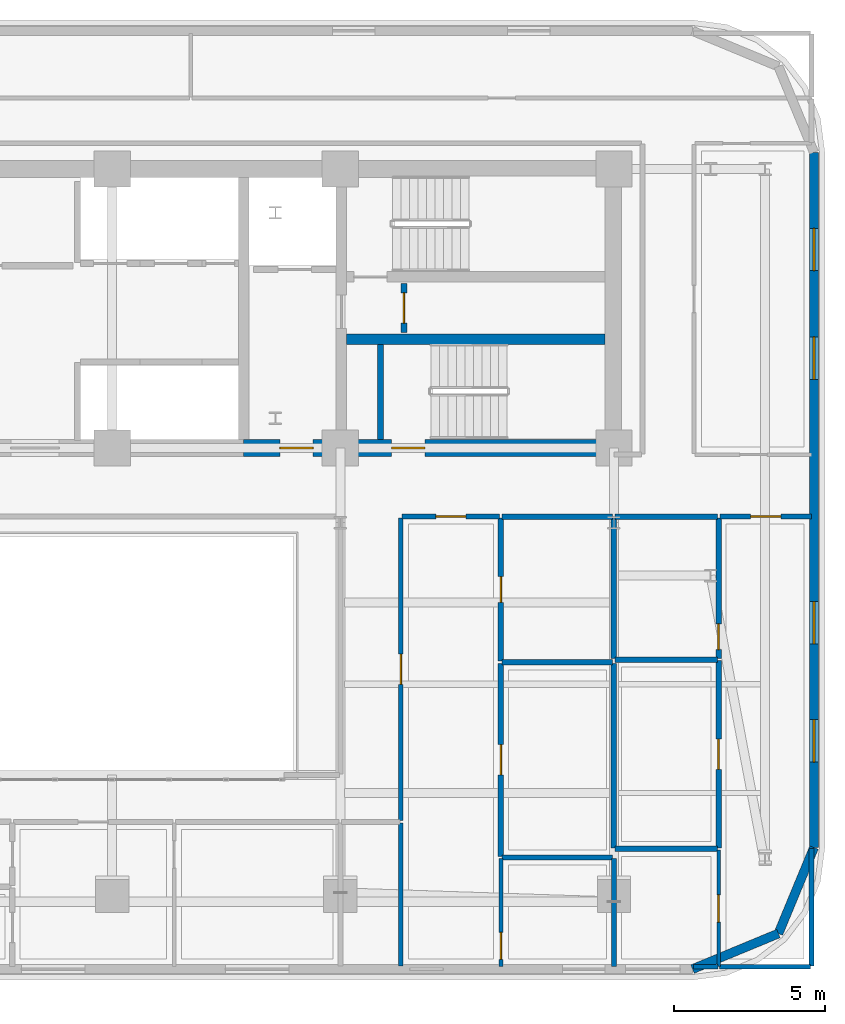
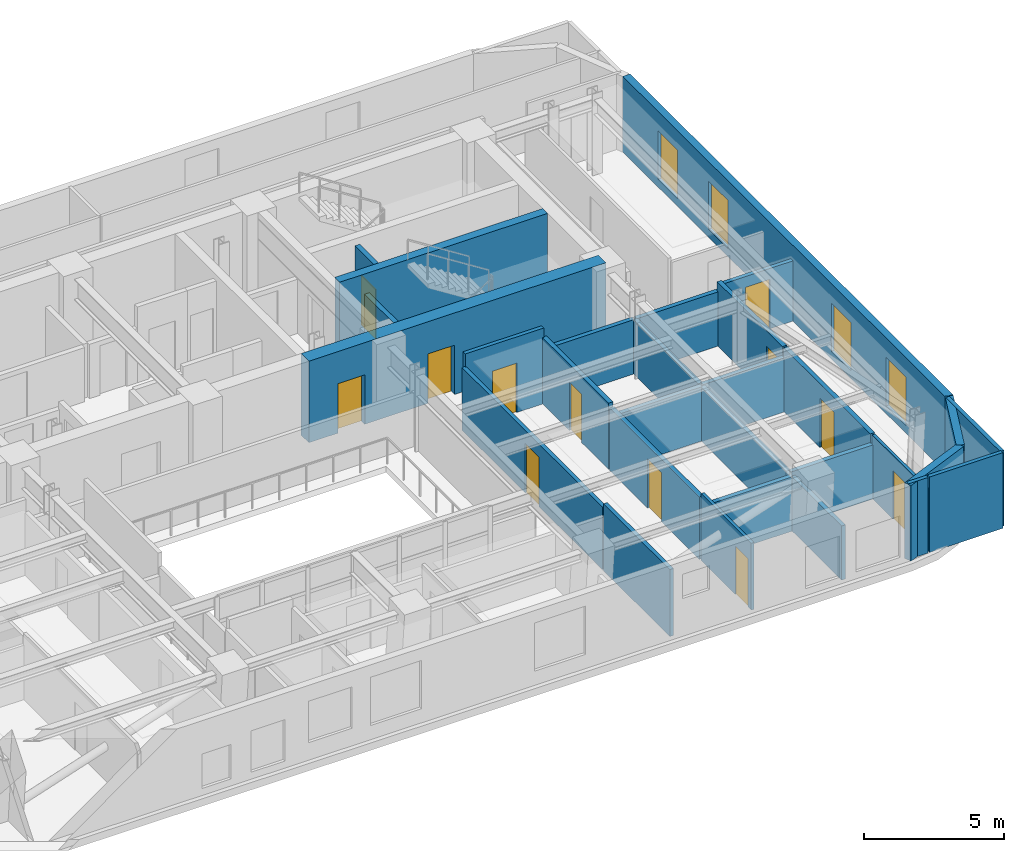
# One storey, part 8 of 12: 29 walls, 12 doors, 4 windows, 16 openings.
"""IFC4 building model written with IfcOpenShell, lengths in metres."""

from ifc_helpers import new_model, si_unit, direction, frame, frame_2d, origin, place, context, subcontext, project, spatial, rectangle, extrude, material, layer, layer_set, type_object, element, fill, save


model = new_model("IFC4")

# Units and contexts
model_context = context("Model", 3, precision=1e-05, world=origin(), true_north=direction((0.0, 1.0)))
body_context = subcontext(model_context, "Body", "Model", "MODEL_VIEW")
ifc_project = project(units=[si_unit("LENGTHUNIT", "METRE"), si_unit("AREAUNIT", "SQUARE_METRE"), si_unit("VOLUMEUNIT", "CUBIC_METRE"), si_unit("PLANEANGLEUNIT", "RADIAN"), si_unit("MASSUNIT", "GRAM", prefix="KILO")], contexts=[model_context])

# Site, building, storey
site_placement = place(None, origin())
site = spatial("IfcSite", under=ifc_project, at=site_placement, CompositionType="ELEMENT")
building_placement = place(site_placement, origin())
building = spatial("IfcBuilding", under=site, at=building_placement, Name="Zarnavel Station Tower", CompositionType="ELEMENT")
storey_placement = place(building_placement, frame((0.0, 0.0, 144.800048828125)))
storey = spatial("IfcBuildingStorey", under=building, at=storey_placement, Name="L39", CompositionType="ELEMENT", Elevation=144.800048828125)

# Wall
ifc_material_1 = material(Name="Concrete C50/60", Category="concrete")
ifc_layer_1 = layer(ifc_material_1, 0.35009765625)
ifc_layer_set_1 = layer_set([ifc_layer_1], Name="CW_350")
wall_type_1 = type_object("IfcWallType", Name="CW_350", PredefinedType="SHEAR", material=ifc_layer_set_1)
wall_1_placement = place(storey_placement, frame((36.554931640625, 31.419921875, 0.0), z_axis=(0.0, 0.0, 1.0), x_axis=(1.0, 0.0, 0.0)))
element("IfcWall", 1, at=wall_1_placement, inside=storey, type_object=wall_type_1, Name="L39 Rear Core Shear Wall DIV-H3", PredefinedType="SHEAR", context=body_context, shape_type="SweptSolid", body=[
    extrude(rectangle(XDim=8.550048828125, YDim=0.35009765625, at=frame_2d((4.27490234375, 0.0))), origin(), (0.0, 0.0, 1.0), 3.550048828125),
])

# Wall, openings, doors
ifc_material_2 = material(Name="Concrete C50/60", Category="concrete")
ifc_layer_2 = layer(ifc_material_2, 0.550048828125)
ifc_layer_set_2 = layer_set([ifc_layer_2], Name="CW_550")
wall_type_2 = type_object("IfcWallType", Name="CW_550", PredefinedType="SHEAR", material=ifc_layer_set_2)
wall_2_placement = place(storey_placement, frame((45.3798828125, 27.820068359375, 0.0), z_axis=(0.0, 0.0, 1.0), x_axis=(-1.0, 0.0, 0.0)))
wall_2 = element("IfcWall", 2, at=wall_2_placement, inside=storey, type_object=wall_type_2, Name="L39 Rear Core Shear Wall S-E", PredefinedType="SHEAR", context=body_context, shape_type="SweptSolid", body=[
    extrude(rectangle(XDim=12.22998046875, YDim=0.550048828125, at=frame_2d((6.114990234375, 0.0))), origin(), (0.0, 0.0, 1.0), 3.550048828125),
])
opening_1_placement = place(wall_2_placement, frame((9.929931640625, 0.0, 0.0)))
opening_1 = element("IfcOpeningElement", 3, at=opening_1_placement, cuts=wall_2, Name="Opening FD01", PredefinedType="OPENING", context=body_context, shape_type="SweptSolid", body=[
    extrude(rectangle(XDim=1.10009765625, YDim=2.14990234375, at=frame_2d((0.550048828125, 1.074951171875))), frame((0.0, 0.284912109375, 0.0), z_axis=(0.0, -1.0, 0.0), x_axis=(1.0, 0.0, 0.0)), (0.0, 0.0, 1.0), 0.570068359375),
])
opening_2_placement = place(wall_2_placement, frame((6.22998046875, 0.0, 0.0)))
opening_2 = element("IfcOpeningElement", 4, at=opening_2_placement, cuts=wall_2, Name="Opening FD01", PredefinedType="OPENING", context=body_context, shape_type="SweptSolid", body=[
    extrude(rectangle(XDim=1.10009765625, YDim=2.14990234375, at=frame_2d((0.550048828125, 1.074951171875))), frame((0.0, 0.284912109375, 0.0), z_axis=(0.0, -1.0, 0.0), x_axis=(1.0, 0.0, 0.0)), (0.0, 0.0, 1.0), 0.570068359375),
])
ifc_material_3 = material(Name="Painted Galvanised Steel and Hardwood Leaf", Category="steel")
door_type_1 = type_object("IfcDoorType", Name="ID_STAIR_1100", OperationType="NOTDEFINED", PredefinedType="DOOR", material=ifc_material_3)
door_1_placement = place(opening_1_placement, origin())
door_1 = element("IfcDoor", 5, at=door_1_placement, inside=storey, type_object=door_type_1, Name="L39 East Firefighting Lobby Door", OperationType="SINGLE_SWING_LEFT", OverallHeight=2.14990234375, OverallWidth=1.10009765625, PredefinedType="DOOR", context=body_context, shape_type="SweptSolid", body=[
    extrude(rectangle(XDim=1.10009765625, YDim=2.14990234375, at=frame_2d((0.550048828125, 1.074951171875))), frame((0.0, 0.02490234375, 0.0), z_axis=(0.0, -1.0, 0.0), x_axis=(1.0, 0.0, 0.0)), (0.0, 0.0, 1.0), 0.050048828125),
])
fill(opening_1, door_1)
door_2_placement = place(opening_2_placement, origin())
door_2 = element("IfcDoor", 6, at=door_2_placement, inside=storey, type_object=door_type_1, Name="L39 Stair ST3 Corridor Fire Door", OperationType="SINGLE_SWING_RIGHT", OverallHeight=2.14990234375, OverallWidth=1.10009765625, PredefinedType="DOOR", context=body_context, shape_type="SweptSolid", body=[
    extrude(rectangle(XDim=1.10009765625, YDim=2.14990234375, at=frame_2d((0.550048828125, 1.074951171875))), frame((0.0, 0.02490234375, 0.0), z_axis=(0.0, -1.0, 0.0), x_axis=(1.0, 0.0, 0.0)), (0.0, 0.0, 1.0), 0.050048828125),
])
fill(opening_2, door_2)

# Walls
ifc_material_4 = material(Name="Precast concrete C45/55 (Dark Basalt Finish)", Category="masonry")
ifc_layer_3 = layer(ifc_material_4, 0.300048828125)
ifc_layer_set_3 = layer_set([ifc_layer_3], Name="EW_BASALT_300")
wall_type_3 = type_object("IfcWallType", Name="EW_BASALT_300", PredefinedType="SOLIDWALL", material=ifc_layer_set_3)
wall_3_placement = place(storey_placement, frame((50.842529296875, 11.75732421875, 0.0), z_axis=(0.0, 0.0, 1.0), x_axis=(-0.92389884758, -0.382636798336, 0.0)))
element("IfcWall", 7, at=wall_3_placement, inside=storey, type_object=wall_type_3, Name="L39 Exterior Basalt Masonry Frame Wall 01", PredefinedType="SOLIDWALL", context=body_context, shape_type="SweptSolid", body=[
    extrude(rectangle(XDim=3.07666015625, YDim=0.300048828125, at=frame_2d((1.538330078125, 0.0))), origin(), (0.0, 0.0, 1.0), 3.2900390625),
])
wall_4_placement = place(storey_placement, frame((52.02001953125, 14.60009765625, 0.0), z_axis=(0.0, 0.0, 1.0), x_axis=(-0.382676475685, -0.923882414032, 0.0)))
element("IfcWall", 8, at=wall_4_placement, inside=storey, type_object=wall_type_3, Name="L39 Exterior Basalt Masonry Frame Wall 02", PredefinedType="SOLIDWALL", context=body_context, shape_type="SweptSolid", body=[
    extrude(rectangle(XDim=3.076904296875, YDim=0.300048828125, at=frame_2d((1.53857421875, 0.0))), origin(), (0.0, 0.0, 1.0), 3.2900390625),
])

# Wall, openings, windows
wall_5_placement = place(storey_placement, frame((52.02001953125, 37.60009765625, 0.0), z_axis=(0.0, 0.0, 1.0), x_axis=(0.0, -1.0, 0.0)))
wall_5 = element("IfcWall", 9, at=wall_5_placement, inside=storey, type_object=wall_type_3, Name="L39 Exterior Basalt Masonry Frame Wall 03", PredefinedType="SOLIDWALL", context=body_context, shape_type="SweptSolid", body=[
    extrude(rectangle(XDim=23.0, YDim=0.300048828125, at=frame_2d((11.5, 0.0))), origin(), (0.0, 0.0, 1.0), 3.2900390625),
])
opening_3_placement = place(wall_5_placement, frame((2.51318359375, 0.0, 0.340087890625)))
opening_3 = element("IfcOpeningElement", 10, at=opening_3_placement, cuts=wall_5, Name="Opening WN04", PredefinedType="OPENING", context=body_context, shape_type="SweptSolid", body=[
    extrude(rectangle(XDim=1.39990234375, YDim=2.10009765625, at=frame_2d((0.699951171875, 1.050048828125))), frame((0.0, 0.159912109375, 0.0), z_axis=(0.0, -1.0, 0.0), x_axis=(1.0, 0.0, 0.0)), (0.0, 0.0, 1.0), 0.320068359375),
])
opening_4_placement = place(wall_5_placement, frame((6.106689453125, 0.0, 0.340087890625)))
opening_4 = element("IfcOpeningElement", 11, at=opening_4_placement, cuts=wall_5, Name="Opening WN04", PredefinedType="OPENING", context=body_context, shape_type="SweptSolid", body=[
    extrude(rectangle(XDim=1.39990234375, YDim=2.10009765625, at=frame_2d((0.699951171875, 1.050048828125))), frame((0.0, 0.159912109375, 0.0), z_axis=(0.0, -1.0, 0.0), x_axis=(1.0, 0.0, 0.0)), (0.0, 0.0, 1.0), 0.320068359375),
])
opening_5_placement = place(wall_5_placement, frame((14.860107421875, 0.0, 0.340087890625)))
opening_5 = element("IfcOpeningElement", 12, at=opening_5_placement, cuts=wall_5, Name="Opening WN04", PredefinedType="OPENING", context=body_context, shape_type="SweptSolid", body=[
    extrude(rectangle(XDim=1.39990234375, YDim=2.10009765625, at=frame_2d((0.699951171875, 1.050048828125))), frame((0.0, 0.159912109375, 0.0), z_axis=(0.0, -1.0, 0.0), x_axis=(1.0, 0.0, 0.0)), (0.0, 0.0, 1.0), 0.320068359375),
])
opening_6_placement = place(wall_5_placement, frame((18.77001953125, 0.0, 0.340087890625)))
opening_6 = element("IfcOpeningElement", 13, at=opening_6_placement, cuts=wall_5, Name="Opening WN04", PredefinedType="OPENING", context=body_context, shape_type="SweptSolid", body=[
    extrude(rectangle(XDim=1.39990234375, YDim=2.10009765625, at=frame_2d((0.699951171875, 1.050048828125))), frame((0.0, 0.159912109375, 0.0), z_axis=(0.0, -1.0, 0.0), x_axis=(1.0, 0.0, 0.0)), (0.0, 0.0, 1.0), 0.320068359375),
])
ifc_material_5 = material(Name="Thermally Broken Black Aluminium and Low-E Dark Glass", Category="aluminium")
window_type = type_object("IfcWindowType", Name="WN_1400x2100", PartitioningType="DOUBLE_PANEL_VERTICAL", PredefinedType="WINDOW", material=ifc_material_5)
window_1_placement = place(opening_3_placement, origin())
window_1 = element("IfcWindow", 14, at=window_1_placement, inside=storey, type_object=window_type, Name="L39 Recessed Facade Window 01", OverallHeight=2.10009765625, OverallWidth=1.39990234375, PartitioningType="SINGLE_PANEL", PredefinedType="WINDOW", context=body_context, shape_type="SweptSolid", body=[
    extrude(rectangle(XDim=1.39990234375, YDim=2.10009765625, at=frame_2d((0.699951171875, 1.050048828125))), frame((0.0, 0.030029296875, 0.0), z_axis=(0.0, -1.0, 0.0), x_axis=(1.0, 0.0, 0.0)), (0.0, 0.0, 1.0), 0.06005859375),
])
fill(opening_3, window_1)
window_2_placement = place(opening_4_placement, origin())
window_2 = element("IfcWindow", 15, at=window_2_placement, inside=storey, type_object=window_type, Name="L39 Recessed Facade Window 02", OverallHeight=2.10009765625, OverallWidth=1.39990234375, PartitioningType="SINGLE_PANEL", PredefinedType="WINDOW", context=body_context, shape_type="SweptSolid", body=[
    extrude(rectangle(XDim=1.39990234375, YDim=2.10009765625, at=frame_2d((0.699951171875, 1.050048828125))), frame((0.0, 0.030029296875, 0.0), z_axis=(0.0, -1.0, 0.0), x_axis=(1.0, 0.0, 0.0)), (0.0, 0.0, 1.0), 0.06005859375),
])
fill(opening_4, window_2)
window_3_placement = place(opening_5_placement, origin())
window_3 = element("IfcWindow", 16, at=window_3_placement, inside=storey, type_object=window_type, Name="L39 Recessed Facade Window 03", OverallHeight=2.10009765625, OverallWidth=1.39990234375, PartitioningType="SINGLE_PANEL", PredefinedType="WINDOW", context=body_context, shape_type="SweptSolid", body=[
    extrude(rectangle(XDim=1.39990234375, YDim=2.10009765625, at=frame_2d((0.699951171875, 1.050048828125))), frame((0.0, 0.030029296875, 0.0), z_axis=(0.0, -1.0, 0.0), x_axis=(1.0, 0.0, 0.0)), (0.0, 0.0, 1.0), 0.06005859375),
])
fill(opening_5, window_3)
window_4_placement = place(opening_6_placement, origin())
window_4 = element("IfcWindow", 17, at=window_4_placement, inside=storey, type_object=window_type, Name="L39 Recessed Facade Window 04", OverallHeight=2.10009765625, OverallWidth=1.39990234375, PartitioningType="SINGLE_PANEL", PredefinedType="WINDOW", context=body_context, shape_type="SweptSolid", body=[
    extrude(rectangle(XDim=1.39990234375, YDim=2.10009765625, at=frame_2d((0.699951171875, 1.050048828125))), frame((0.0, 0.030029296875, 0.0), z_axis=(0.0, -1.0, 0.0), x_axis=(1.0, 0.0, 0.0)), (0.0, 0.0, 1.0), 0.06005859375),
])
fill(opening_6, window_4)

# Wall, opening, door
ifc_material_6 = material(Name="Gypsum Twin-Stud Acoustic Fire Partition", Category="concrete")
ifc_layer_4 = layer(ifc_material_6, 0.159912109375)
ifc_layer_set_4 = layer_set([ifc_layer_4], Name="PT_DEMISE_160")
wall_type_4 = type_object("IfcWallType", Name="PT_DEMISE_160", PredefinedType="PARTITIONING", material=ifc_layer_set_4)
wall_6_placement = place(storey_placement, frame((38.389892578125, 25.550048828125, 0.0), z_axis=(0.0, 0.0, 1.0), x_axis=(1.0, 0.0, 0.0)))
wall_6 = element("IfcWall", 18, at=wall_6_placement, inside=storey, type_object=wall_type_4, Name="L39 Partition COR-S-UE1LV", PredefinedType="PARTITIONING", context=body_context, shape_type="SweptSolid", body=[
    extrude(rectangle(XDim=3.233154296875, YDim=0.159912109375, at=frame_2d((1.61669921875, 0.0))), origin(), (0.0, 0.0, 1.0), 3.2900390625),
])
opening_7_placement = place(wall_6_placement, frame((1.116455078125, 0.0, 0.0)))
opening_7 = element("IfcOpeningElement", 19, at=opening_7_placement, cuts=wall_6, Name="Opening FD02", PredefinedType="OPENING", context=body_context, shape_type="SweptSolid", body=[
    extrude(rectangle(XDim=1.0, YDim=2.14990234375, at=frame_2d((0.5, 1.074951171875))), frame((0.0, 0.08984375, 0.0), z_axis=(0.0, -1.0, 0.0), x_axis=(1.0, 0.0, 0.0)), (0.0, 0.0, 1.0), 0.179931640625),
])
ifc_material_7 = material(Name="Painted Galvanised Steel and Hardwood Leaf", Category="steel")
door_type_2 = type_object("IfcDoorType", Name="ID_ENTRY_1000", OperationType="NOTDEFINED", PredefinedType="DOOR", material=ifc_material_7)
door_3_placement = place(opening_7_placement, origin())
door_3 = element("IfcDoor", 20, at=door_3_placement, inside=storey, type_object=door_type_2, Name="L39 Door COR-S-UE1LV", OperationType="SINGLE_SWING_LEFT", OverallHeight=2.14990234375, OverallWidth=1.0, PredefinedType="DOOR", context=body_context, shape_type="SweptSolid", body=[
    extrude(rectangle(XDim=1.0, YDim=2.14990234375, at=frame_2d((0.5, 1.074951171875))), frame((0.0, 0.02490234375, 0.0), z_axis=(0.0, -1.0, 0.0), x_axis=(1.0, 0.0, 0.0)), (0.0, 0.0, 1.0), 0.050048828125),
])
fill(opening_7, door_3)

wall_7_placement = place(storey_placement, frame((48.906005859375, 25.550048828125, 0.0), z_axis=(0.0, 0.0, 1.0), x_axis=(1.0, 0.0, 0.0)))
wall_7 = element("IfcWall", 21, at=wall_7_placement, inside=storey, type_object=wall_type_4, Name="L39 Partition COR-S-UE2LV", PredefinedType="PARTITIONING", context=body_context, shape_type="SweptSolid", body=[
    extrude(rectangle(XDim=3.033935546875, YDim=0.159912109375, at=frame_2d((1.51708984375, 0.0))), origin(), (0.0, 0.0, 1.0), 2.619873046875),
])
opening_8_placement = place(wall_7_placement, frame((1.01708984375, 0.0, 0.0)))
opening_8 = element("IfcOpeningElement", 22, at=opening_8_placement, cuts=wall_7, Name="Opening FD02", PredefinedType="OPENING", context=body_context, shape_type="SweptSolid", body=[
    extrude(rectangle(XDim=1.0, YDim=2.14990234375, at=frame_2d((0.5, 1.074951171875))), frame((0.0, 0.08984375, 0.0), z_axis=(0.0, -1.0, 0.0), x_axis=(1.0, 0.0, 0.0)), (0.0, 0.0, 1.0), 0.179931640625),
])
door_4_placement = place(opening_8_placement, origin())
door_4 = element("IfcDoor", 23, at=door_4_placement, inside=storey, type_object=door_type_2, Name="L39 Door COR-S-UE2LV", OperationType="SINGLE_SWING_RIGHT", OverallHeight=2.14990234375, OverallWidth=1.0, PredefinedType="DOOR", context=body_context, shape_type="SweptSolid", body=[
    extrude(rectangle(XDim=1.0, YDim=2.14990234375, at=frame_2d((0.5, 1.074951171875))), frame((0.0, 0.02490234375, 0.0), z_axis=(0.0, -1.0, 0.0), x_axis=(1.0, 0.0, 0.0)), (0.0, 0.0, 1.0), 0.050048828125),
])
fill(opening_8, door_4)

wall_8_placement = place(storey_placement, frame((38.35009765625, 15.489990234375, 0.0), z_axis=(0.0, 0.0, 1.0), x_axis=(0.0, 1.0, 0.0)))
wall_8 = element("IfcWall", 24, at=wall_8_placement, inside=storey, type_object=wall_type_4, Name="L39 Partition COR-AE-UE1LV", PredefinedType="PARTITIONING", context=body_context, shape_type="SweptSolid", body=[
    extrude(rectangle(XDim=10.02001953125, YDim=0.159912109375, at=frame_2d((5.010009765625, 0.0))), origin(), (0.0, 0.0, 1.0), 2.719970703125),
])
opening_9_placement = place(wall_8_placement, frame((4.510009765625, 0.0, 0.0)))
opening_9 = element("IfcOpeningElement", 25, at=opening_9_placement, cuts=wall_8, Name="Opening FD02", PredefinedType="OPENING", context=body_context, shape_type="SweptSolid", body=[
    extrude(rectangle(XDim=1.0, YDim=2.14990234375, at=frame_2d((0.5, 1.074951171875))), frame((0.0, 0.08984375, 0.0), z_axis=(0.0, -1.0, 0.0), x_axis=(1.0, 0.0, 0.0)), (0.0, 0.0, 1.0), 0.179931640625),
])
door_5_placement = place(opening_9_placement, origin())
door_5 = element("IfcDoor", 26, at=door_5_placement, inside=storey, type_object=door_type_2, Name="L39 Door COR-AE-UE1LV", OperationType="SINGLE_SWING_LEFT", OverallHeight=2.14990234375, OverallWidth=1.0, PredefinedType="DOOR", context=body_context, shape_type="SweptSolid", body=[
    extrude(rectangle(XDim=1.0, YDim=2.14990234375, at=frame_2d((0.5, 1.074951171875))), frame((0.0, 0.02490234375, 0.0), z_axis=(0.0, -1.0, 0.0), x_axis=(1.0, 0.0, 0.0)), (0.0, 0.0, 1.0), 0.050048828125),
])
fill(opening_9, door_5)

# Walls
wall_9_placement = place(storey_placement, frame((45.39990234375, 10.659912109375, 0.0), z_axis=(0.0, 0.0, 1.0), x_axis=(0.0, 1.0, 0.0)))
element("IfcWall", 27, at=wall_9_placement, inside=storey, type_object=wall_type_4, Name="L39 Partition UE1B1-UE2B1", PredefinedType="PARTITIONING", context=body_context, shape_type="SweptSolid", body=[
    extrude(rectangle(XDim=3.572998046875, YDim=0.159912109375, at=frame_2d((1.78662109375, 0.0))), origin(), (0.0, 0.0, 1.0), 2.35986328125),
])
wall_10_placement = place(storey_placement, frame((38.35009765625, 10.68994140625, 0.0), z_axis=(0.0, 0.0, 1.0), x_axis=(0.0, 1.0, 0.0)))
element("IfcWall", 28, at=wall_10_placement, inside=storey, type_object=wall_type_4, Name="L39 Enclosure Wall UE1LV", PredefinedType="PARTITIONING", context=body_context, shape_type="SweptSolid", body=[
    extrude(rectangle(XDim=4.72998046875, YDim=0.159912109375, at=frame_2d((2.364990234375, 0.0))), origin(), (0.0, 0.0, 1.0), 2.909912109375),
])
wall_11_placement = place(storey_placement, frame((48.89599609375, 10.659912109375, 0.0), z_axis=(0.0, 0.0, 1.0), x_axis=(1.0, 0.0, 0.0)))
element("IfcWall", 29, at=wall_11_placement, inside=storey, type_object=wall_type_4, Name="L39 Enclosure Wall UE2LV", PredefinedType="PARTITIONING", context=body_context, shape_type="SweptSolid", body=[
    extrude(rectangle(XDim=3.013916015625, YDim=0.159912109375, at=frame_2d((1.5068359375, 0.0))), origin(), (0.0, 0.0, 1.0), 3.2900390625),
])
wall_12_placement = place(storey_placement, frame((51.93994140625, 10.68994140625, 0.0), z_axis=(0.0, 0.0, 1.0), x_axis=(0.0, 1.0, 0.0)))
element("IfcWall", 30, at=wall_12_placement, inside=storey, type_object=wall_type_4, Name="L39 Enclosure Wall UE2LV", PredefinedType="PARTITIONING", context=body_context, shape_type="SweptSolid", body=[
    extrude(rectangle(XDim=3.880126953125, YDim=0.159912109375, at=frame_2d((1.93994140625, 0.0))), origin(), (0.0, 0.0, 1.0), 3.2900390625),
])
wall_13_placement = place(storey_placement, frame((48.030029296875, 10.659912109375, 0.0), z_axis=(0.0, 0.0, 1.0), x_axis=(1.0, 0.0, 0.0)))
element("IfcWall", 31, at=wall_13_placement, inside=storey, type_object=wall_type_4, Name="L39 Enclosure Wall UE2B1", PredefinedType="PARTITIONING", context=body_context, shape_type="SweptSolid", body=[
    extrude(rectangle(XDim=0.805908203125, YDim=0.159912109375, at=frame_2d((0.40283203125, 0.0))), origin(), (0.0, 0.0, 1.0), 3.2900390625),
])

# Wall, opening, door
ifc_material_8 = material(Name="Gypsum Metal-Stud Interior Partition", Category="concrete")
ifc_layer_5 = layer(ifc_material_8, 0.1201171875)
ifc_layer_set_5 = layer_set([ifc_layer_5], Name="PT_ROOM_120")
wall_type_5 = type_object("IfcWallType", Name="PT_ROOM_120", PredefinedType="PARTITIONING", material=ifc_layer_set_5)
wall_14_placement = place(storey_placement, frame((41.6630859375, 10.659912109375, 0.0), z_axis=(0.0, 0.0, 1.0), x_axis=(0.0, 1.0, 0.0)))
wall_14 = element("IfcWall", 32, at=wall_14_placement, inside=storey, type_object=wall_type_5, Name="L39 Partition UE1LV-UE1B1", PredefinedType="PARTITIONING", context=body_context, shape_type="SweptSolid", body=[
    extrude(rectangle(XDim=3.572998046875, YDim=0.1201171875, at=frame_2d((1.78662109375, 0.0))), origin(), (0.0, 0.0, 1.0), 2.909912109375),
])
opening_10_placement = place(wall_14_placement, frame((0.23974609375, 0.0, 0.0)))
opening_10 = element("IfcOpeningElement", 33, at=opening_10_placement, cuts=wall_14, Name="Opening ID01", PredefinedType="OPENING", context=body_context, shape_type="SweptSolid", body=[
    extrude(rectangle(XDim=0.89990234375, YDim=2.10009765625, at=frame_2d((0.449951171875, 1.050048828125))), frame((0.0, 0.070068359375, 0.0), z_axis=(0.0, -1.0, 0.0), x_axis=(1.0, 0.0, 0.0)), (0.0, 0.0, 1.0), 0.14013671875),
])
ifc_material_9 = material(Name="Painted Galvanised Steel and Hardwood Leaf", Category="steel")
door_type_3 = type_object("IfcDoorType", Name="ID_ROOM_900", OperationType="NOTDEFINED", PredefinedType="DOOR", material=ifc_material_9)
door_6_placement = place(opening_10_placement, origin())
door_6 = element("IfcDoor", 34, at=door_6_placement, inside=storey, type_object=door_type_3, Name="L39 Door UE1LV-UE1B1", OperationType="SINGLE_SWING_LEFT", OverallHeight=2.10009765625, OverallWidth=0.89990234375, PredefinedType="DOOR", context=body_context, shape_type="SweptSolid", body=[
    extrude(rectangle(XDim=0.89990234375, YDim=2.10009765625, at=frame_2d((0.449951171875, 1.050048828125))), frame((0.0, 0.02490234375, 0.0), z_axis=(0.0, -1.0, 0.0), x_axis=(1.0, 0.0, 0.0)), (0.0, 0.0, 1.0), 0.050048828125),
])
fill(opening_10, door_6)

wall_15_placement = place(storey_placement, frame((48.865966796875, 10.659912109375, 0.0), z_axis=(0.0, 0.0, 1.0), x_axis=(0.0, 1.0, 0.0)))
wall_15 = element("IfcWall", 35, at=wall_15_placement, inside=storey, type_object=wall_type_5, Name="L39 Partition UE2LV-UE2B1", PredefinedType="PARTITIONING", context=body_context, shape_type="SweptSolid", body=[
    extrude(rectangle(XDim=3.85498046875, YDim=0.1201171875, at=frame_2d((1.927490234375, 0.0))), origin(), (0.0, 0.0, 1.0), 2.77001953125),
])
opening_11_placement = place(wall_15_placement, frame((1.4775390625, 0.0, 0.0)))
opening_11 = element("IfcOpeningElement", 36, at=opening_11_placement, cuts=wall_15, Name="Opening ID01", PredefinedType="OPENING", context=body_context, shape_type="SweptSolid", body=[
    extrude(rectangle(XDim=0.89990234375, YDim=2.10009765625, at=frame_2d((0.449951171875, 1.050048828125))), frame((0.0, 0.070068359375, 0.0), z_axis=(0.0, -1.0, 0.0), x_axis=(1.0, 0.0, 0.0)), (0.0, 0.0, 1.0), 0.14013671875),
])
door_7_placement = place(opening_11_placement, origin())
door_7 = element("IfcDoor", 37, at=door_7_placement, inside=storey, type_object=door_type_3, Name="L39 Door UE2LV-UE2B1", OperationType="SINGLE_SWING_RIGHT", OverallHeight=2.10009765625, OverallWidth=0.89990234375, PredefinedType="DOOR", context=body_context, shape_type="SweptSolid", body=[
    extrude(rectangle(XDim=0.89990234375, YDim=2.10009765625, at=frame_2d((0.449951171875, 1.050048828125))), frame((0.0, 0.02490234375, 0.0), z_axis=(0.0, -1.0, 0.0), x_axis=(1.0, 0.0, 0.0)), (0.0, 0.0, 1.0), 0.050048828125),
])
fill(opening_11, door_7)

# Wall
ifc_material_10 = material(Name="Precast concrete C45/55 (Fire Shaft Blockwork)", Category="masonry")
ifc_layer_6 = layer(ifc_material_10, 0.199951171875)
ifc_layer_set_6 = layer_set([ifc_layer_6], Name="PT_SHAFT_200")
wall_type_6 = type_object("IfcWallType", Name="PT_SHAFT_200", PredefinedType="PARTITIONING", material=ifc_layer_set_6)
wall_16_placement = place(storey_placement, frame((37.679931640625, 28.094970703125, 0.0), z_axis=(0.0, 0.0, 1.0), x_axis=(0.0, 1.0, 0.0)))
element("IfcWall", 38, at=wall_16_placement, inside=storey, type_object=wall_type_6, Name="L39 Stair ST3 West Shaft Wall", PredefinedType="PARTITIONING", context=body_context, shape_type="SweptSolid", body=[
    extrude(rectangle(XDim=3.155029296875, YDim=0.199951171875, at=frame_2d((1.57763671875, 0.0))), origin(), (0.0, 0.0, 1.0), 2.669921875),
])

# Wall, opening, door
wall_17_placement = place(storey_placement, frame((38.449951171875, 31.639892578125, 0.0), z_axis=(0.0, 0.0, 1.0), x_axis=(0.0, 1.0, 0.0)))
wall_17 = element("IfcWall", 39, at=wall_17_placement, inside=storey, type_object=wall_type_6, Name="L39 Partition ESTV-CEA", PredefinedType="PARTITIONING", context=body_context, shape_type="SweptSolid", body=[
    extrude(rectangle(XDim=1.6201171875, YDim=0.199951171875, at=frame_2d((0.81005859375, 0.0))), origin(), (0.0, 0.0, 1.0), 3.2900390625),
])
opening_12_placement = place(wall_17_placement, frame((0.31005859375, 0.0, 0.0)))
opening_12 = element("IfcOpeningElement", 40, at=opening_12_placement, cuts=wall_17, Name="Opening FD02", PredefinedType="OPENING", context=body_context, shape_type="SweptSolid", body=[
    extrude(rectangle(XDim=1.0, YDim=2.14990234375, at=frame_2d((0.5, 1.074951171875))), frame((0.0, 0.10986328125, 0.0), z_axis=(0.0, -1.0, 0.0), x_axis=(1.0, 0.0, 0.0)), (0.0, 0.0, 1.0), 0.219970703125),
])
door_8_placement = place(opening_12_placement, origin())
door_8 = element("IfcDoor", 41, at=door_8_placement, inside=storey, type_object=door_type_2, Name="L39 Door ESTV-CEA", OperationType="SINGLE_SWING_LEFT", OverallHeight=2.14990234375, OverallWidth=1.0, PredefinedType="DOOR", context=body_context, shape_type="SweptSolid", body=[
    extrude(rectangle(XDim=1.0, YDim=2.14990234375, at=frame_2d((0.5, 1.074951171875))), frame((0.0, 0.02490234375, 0.0), z_axis=(0.0, -1.0, 0.0), x_axis=(1.0, 0.0, 0.0)), (0.0, 0.0, 1.0), 0.050048828125),
])
fill(opening_12, door_8)

# Walls
ifc_material_11 = material(Name="Moisture-Resistant Plumbing Chase Wall", Category="concrete")
ifc_layer_7 = layer(ifc_material_11, 0.179931640625)
ifc_layer_set_7 = layer_set([ifc_layer_7], Name="PW_PLUMB_180")
wall_type_7 = type_object("IfcWallType", Name="PW_PLUMB_180", PredefinedType="PLUMBINGWALL", material=ifc_layer_set_7)
wall_18_placement = place(storey_placement, frame((41.702880859375, 25.550048828125, 0.0), z_axis=(0.0, 0.0, 1.0), x_axis=(1.0, 0.0, 0.0)))
element("IfcWall", 42, at=wall_18_placement, inside=storey, type_object=wall_type_7, Name="L39 Partition COR-S-UE1BA", PredefinedType="PLUMBINGWALL", context=body_context, shape_type="SweptSolid", body=[
    extrude(rectangle(XDim=3.6572265625, YDim=0.179931640625, at=frame_2d((1.82861328125, 0.0))), origin(), (0.0, 0.0, 1.0), 2.35986328125),
])
wall_19_placement = place(storey_placement, frame((45.43994140625, 25.550048828125, 0.0), z_axis=(0.0, 0.0, 1.0), x_axis=(1.0, 0.0, 0.0)))
element("IfcWall", 43, at=wall_19_placement, inside=storey, type_object=wall_type_7, Name="L39 Partition COR-S-UE2BA", PredefinedType="PLUMBINGWALL", context=body_context, shape_type="SweptSolid", body=[
    extrude(rectangle(XDim=3.385986328125, YDim=0.179931640625, at=frame_2d((1.69287109375, 0.0))), origin(), (0.0, 0.0, 1.0), 2.35986328125),
])

# Wall, opening, door
wall_20_placement = place(storey_placement, frame((41.6630859375, 14.31298828125, 0.0), z_axis=(0.0, 0.0, 1.0), x_axis=(0.0, 1.0, 0.0)))
wall_20 = element("IfcWall", 44, at=wall_20_placement, inside=storey, type_object=wall_type_7, Name="L39 Partition UE1LV-UE1KT", PredefinedType="PLUMBINGWALL", context=body_context, shape_type="SweptSolid", body=[
    extrude(rectangle(XDim=6.380126953125, YDim=0.179931640625, at=frame_2d((3.18994140625, 0.0))), origin(), (0.0, 0.0, 1.0), 2.719970703125),
])
opening_13_placement = place(wall_20_placement, frame((2.68994140625, 0.0, 0.0)))
opening_13 = element("IfcOpeningElement", 45, at=opening_13_placement, cuts=wall_20, Name="Opening FD02", PredefinedType="OPENING", context=body_context, shape_type="SweptSolid", body=[
    extrude(rectangle(XDim=1.0, YDim=2.14990234375, at=frame_2d((0.5, 1.074951171875))), frame((0.0, 0.099853515625, 0.0), z_axis=(0.0, -1.0, 0.0), x_axis=(1.0, 0.0, 0.0)), (0.0, 0.0, 1.0), 0.199951171875),
])
door_9_placement = place(opening_13_placement, origin())
door_9 = element("IfcDoor", 46, at=door_9_placement, inside=storey, type_object=door_type_2, Name="L39 Door UE1LV-UE1KT", OperationType="SINGLE_SWING_RIGHT", OverallHeight=2.14990234375, OverallWidth=1.0, PredefinedType="DOOR", context=body_context, shape_type="SweptSolid", body=[
    extrude(rectangle(XDim=1.0, YDim=2.14990234375, at=frame_2d((0.5, 1.074951171875))), frame((0.0, 0.02490234375, 0.0), z_axis=(0.0, -1.0, 0.0), x_axis=(1.0, 0.0, 0.0)), (0.0, 0.0, 1.0), 0.050048828125),
])
fill(opening_13, door_9)

wall_21_placement = place(storey_placement, frame((41.6630859375, 20.77294921875, 0.0), z_axis=(0.0, 0.0, 1.0), x_axis=(0.0, 1.0, 0.0)))
wall_21 = element("IfcWall", 47, at=wall_21_placement, inside=storey, type_object=wall_type_7, Name="L39 Partition UE1LV-UE1BA", PredefinedType="PLUMBINGWALL", context=body_context, shape_type="SweptSolid", body=[
    extrude(rectangle(XDim=4.737060546875, YDim=0.179931640625, at=frame_2d((2.36865234375, 0.0))), origin(), (0.0, 0.0, 1.0), 2.8798828125),
])
opening_14_placement = place(wall_21_placement, frame((1.943603515625, 0.0, 0.0)))
opening_14 = element("IfcOpeningElement", 48, at=opening_14_placement, cuts=wall_21, Name="Opening ID02", PredefinedType="OPENING", context=body_context, shape_type="SweptSolid", body=[
    extrude(rectangle(XDim=0.85009765625, YDim=2.10009765625, at=frame_2d((0.425048828125, 1.050048828125))), frame((0.0, 0.099853515625, 0.0), z_axis=(0.0, -1.0, 0.0), x_axis=(1.0, 0.0, 0.0)), (0.0, 0.0, 1.0), 0.199951171875),
])
ifc_material_12 = material(Name="Painted Galvanised Steel and Hardwood Leaf", Category="steel")
door_type_4 = type_object("IfcDoorType", Name="ID_BATH_850", OperationType="NOTDEFINED", PredefinedType="DOOR", material=ifc_material_12)
door_10_placement = place(opening_14_placement, origin())
door_10 = element("IfcDoor", 49, at=door_10_placement, inside=storey, type_object=door_type_4, Name="L39 Door UE1LV-UE1BA", OperationType="SINGLE_SWING_LEFT", OverallHeight=2.10009765625, OverallWidth=0.85009765625, PredefinedType="DOOR", context=body_context, shape_type="SweptSolid", body=[
    extrude(rectangle(XDim=0.85009765625, YDim=2.10009765625, at=frame_2d((0.425048828125, 1.050048828125))), frame((0.0, 0.02490234375, 0.0), z_axis=(0.0, -1.0, 0.0), x_axis=(1.0, 0.0, 0.0)), (0.0, 0.0, 1.0), 0.050048828125),
])
fill(opening_14, door_10)

# Walls
for number, where, z_axis, x_axis, name in (
    (50, (41.702880859375, 14.27294921875, 0.0), (0.0, 0.0, 1.0), (1.0, 0.0, 0.0), "L39 Partition UE1B1-UE1KT"),
    (51, (41.702880859375, 20.73291015625, 0.0), (0.0, 0.0, 1.0), (1.0, 0.0, 0.0), "L39 Partition UE1KT-UE1BA"),
):
    element("IfcWall", number, at=place(storey_placement, frame(where, z_axis=z_axis, x_axis=x_axis)), inside=storey, type_object=wall_type_7, Name=name, PredefinedType="PLUMBINGWALL", context=body_context, shape_type="SweptSolid", body=[
        extrude(rectangle(XDim=3.6572265625, YDim=0.179931640625, at=frame_2d((1.82861328125, 0.0))), origin(), (0.0, 0.0, 1.0), 2.35986328125),
    ])
wall_22_placement = place(storey_placement, frame((45.39990234375, 14.594970703125, 0.0), z_axis=(0.0, 0.0, 1.0), x_axis=(0.0, 1.0, 0.0)))
element("IfcWall", 52, at=wall_22_placement, inside=storey, type_object=wall_type_7, Name="L39 Partition UE1KT-UE2KT", PredefinedType="PLUMBINGWALL", context=body_context, shape_type="SweptSolid", body=[
    extrude(rectangle(XDim=6.09814453125, YDim=0.179931640625, at=frame_2d((3.049072265625, 0.0))), origin(), (0.0, 0.0, 1.0), 2.35986328125),
])
wall_23_placement = place(storey_placement, frame((45.39990234375, 20.862060546875, 0.0), z_axis=(0.0, 0.0, 1.0), x_axis=(0.0, 1.0, 0.0)))
element("IfcWall", 53, at=wall_23_placement, inside=storey, type_object=wall_type_7, Name="L39 Partition UE1BA-UE2BA", PredefinedType="PLUMBINGWALL", context=body_context, shape_type="SweptSolid", body=[
    extrude(rectangle(XDim=4.64794921875, YDim=0.179931640625, at=frame_2d((2.323974609375, 0.0))), origin(), (0.0, 0.0, 1.0), 2.35986328125),
])

# Wall, opening, door
wall_24_placement = place(storey_placement, frame((48.865966796875, 14.594970703125, 0.0), z_axis=(0.0, 0.0, 1.0), x_axis=(0.0, 1.0, 0.0)))
wall_24 = element("IfcWall", 54, at=wall_24_placement, inside=storey, type_object=wall_type_7, Name="L39 Partition UE2LV-UE2KT", PredefinedType="PLUMBINGWALL", context=body_context, shape_type="SweptSolid", body=[
    extrude(rectangle(XDim=6.18701171875, YDim=0.179931640625, at=frame_2d((3.093505859375, 0.0))), origin(), (0.0, 0.0, 1.0), 2.77001953125),
])
opening_15_placement = place(wall_24_placement, frame((2.593505859375, 0.0, 0.0)))
opening_15 = element("IfcOpeningElement", 55, at=opening_15_placement, cuts=wall_24, Name="Opening FD02", PredefinedType="OPENING", context=body_context, shape_type="SweptSolid", body=[
    extrude(rectangle(XDim=1.0, YDim=2.14990234375, at=frame_2d((0.5, 1.074951171875))), frame((0.0, 0.099853515625, 0.0), z_axis=(0.0, -1.0, 0.0), x_axis=(1.0, 0.0, 0.0)), (0.0, 0.0, 1.0), 0.199951171875),
])
door_11_placement = place(opening_15_placement, origin())
door_11 = element("IfcDoor", 56, at=door_11_placement, inside=storey, type_object=door_type_2, Name="L39 Door UE2LV-UE2KT", OperationType="SINGLE_SWING_LEFT", OverallHeight=2.14990234375, OverallWidth=1.0, PredefinedType="DOOR", context=body_context, shape_type="SweptSolid", body=[
    extrude(rectangle(XDim=1.0, YDim=2.14990234375, at=frame_2d((0.5, 1.074951171875))), frame((0.0, 0.02490234375, 0.0), z_axis=(0.0, -1.0, 0.0), x_axis=(1.0, 0.0, 0.0)), (0.0, 0.0, 1.0), 0.050048828125),
])
fill(opening_15, door_11)

wall_25_placement = place(storey_placement, frame((48.865966796875, 20.862060546875, 0.0), z_axis=(0.0, 0.0, 1.0), x_axis=(0.0, 1.0, 0.0)))
wall_25 = element("IfcWall", 57, at=wall_25_placement, inside=storey, type_object=wall_type_7, Name="L39 Partition UE2LV-UE2BA", PredefinedType="PLUMBINGWALL", context=body_context, shape_type="SweptSolid", body=[
    extrude(rectangle(XDim=4.64794921875, YDim=0.179931640625, at=frame_2d((2.323974609375, 0.0))), origin(), (0.0, 0.0, 1.0), 2.77001953125),
])
opening_16_placement = place(wall_25_placement, frame((0.28662109375, 0.0, 0.0)))
opening_16 = element("IfcOpeningElement", 58, at=opening_16_placement, cuts=wall_25, Name="Opening ID02", PredefinedType="OPENING", context=body_context, shape_type="SweptSolid", body=[
    extrude(rectangle(XDim=0.85009765625, YDim=2.10009765625, at=frame_2d((0.425048828125, 1.050048828125))), frame((0.0, 0.099853515625, 0.0), z_axis=(0.0, -1.0, 0.0), x_axis=(1.0, 0.0, 0.0)), (0.0, 0.0, 1.0), 0.199951171875),
])
door_12_placement = place(opening_16_placement, origin())
door_12 = element("IfcDoor", 59, at=door_12_placement, inside=storey, type_object=door_type_4, Name="L39 Door UE2LV-UE2BA", OperationType="SINGLE_SWING_RIGHT", OverallHeight=2.10009765625, OverallWidth=0.85009765625, PredefinedType="DOOR", context=body_context, shape_type="SweptSolid", body=[
    extrude(rectangle(XDim=0.85009765625, YDim=2.10009765625, at=frame_2d((0.425048828125, 1.050048828125))), frame((0.0, 0.02490234375, 0.0), z_axis=(0.0, -1.0, 0.0), x_axis=(1.0, 0.0, 0.0)), (0.0, 0.0, 1.0), 0.050048828125),
])
fill(opening_16, door_12)

# Walls
for number, where, z_axis, x_axis, name in (
    (60, (45.43994140625, 14.554931640625, 0.0), (0.0, 0.0, 1.0), (1.0, 0.0, 0.0), "L39 Partition UE2B1-UE2KT"),
    (61, (45.43994140625, 20.822021484375, 0.0), (0.0, 0.0, 1.0), (1.0, 0.0, 0.0), "L39 Partition UE2KT-UE2BA"),
):
    element("IfcWall", number, at=place(storey_placement, frame(where, z_axis=z_axis, x_axis=x_axis)), inside=storey, type_object=wall_type_7, Name=name, PredefinedType="PLUMBINGWALL", context=body_context, shape_type="SweptSolid", body=[
        extrude(rectangle(XDim=3.385986328125, YDim=0.179931640625, at=frame_2d((1.69287109375, 0.0))), origin(), (0.0, 0.0, 1.0), 2.35986328125),
    ])

save(model, "model.ifc")
